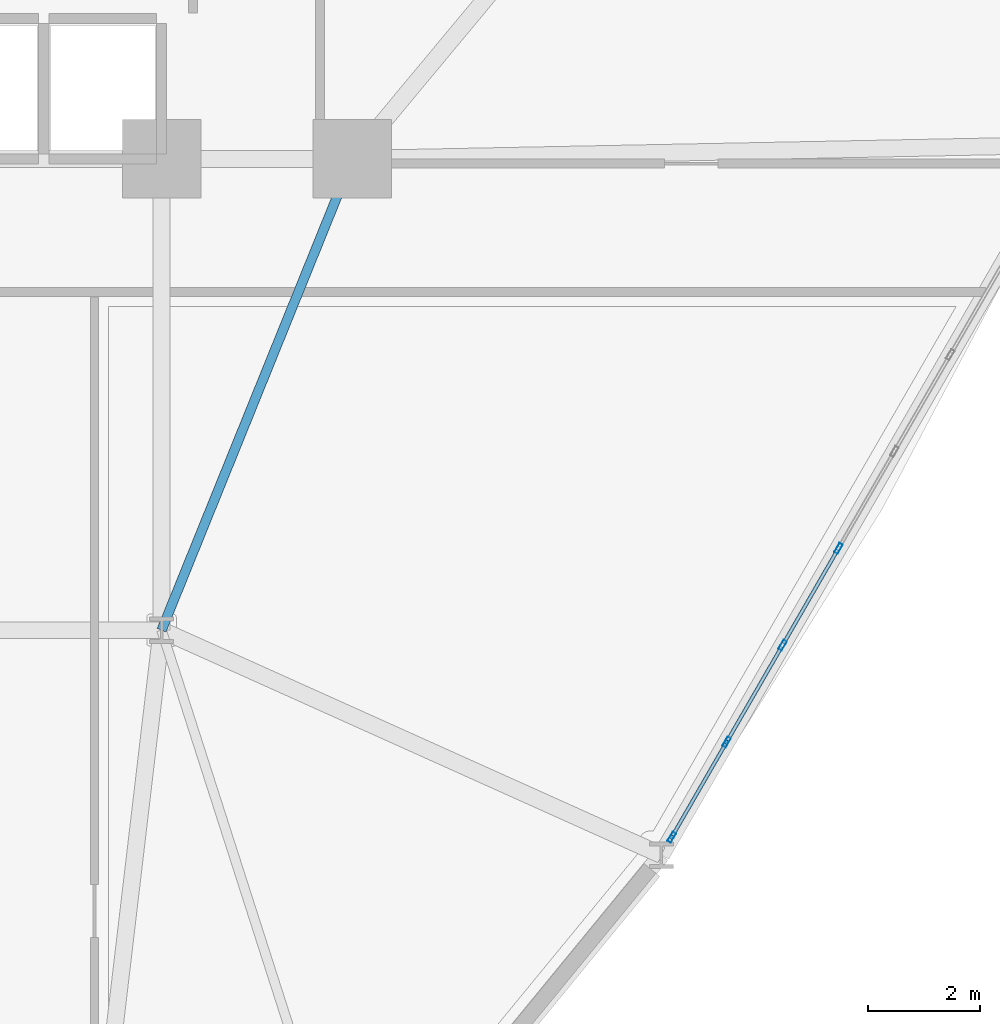
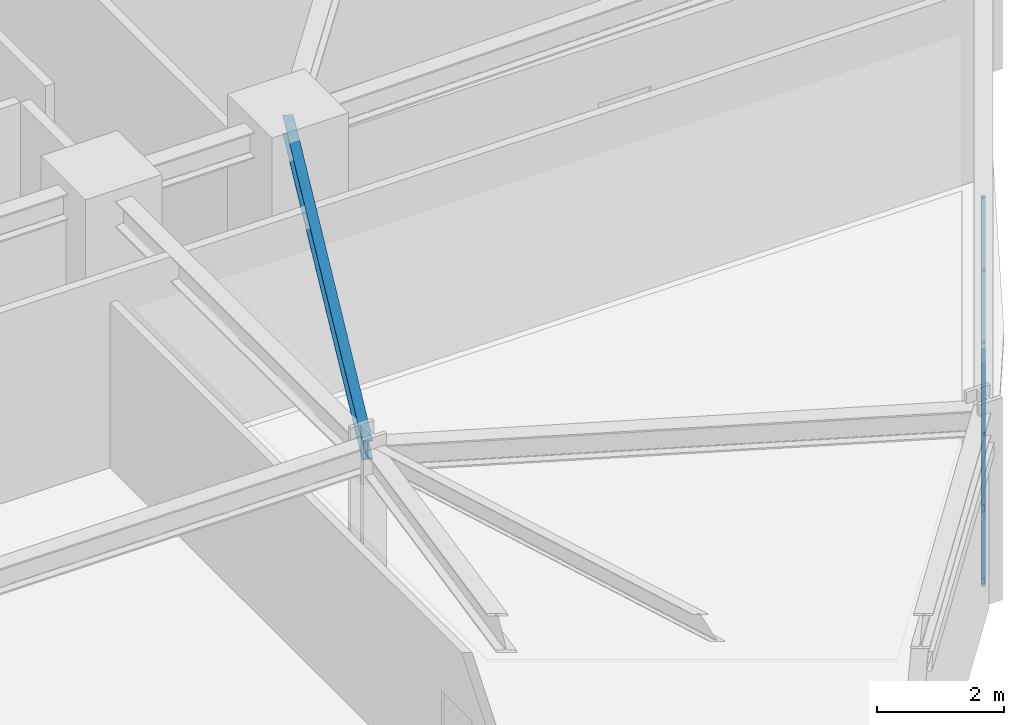
# One storey, part 6 of 20: 11 members, 1 beam, 1 element without a shape of its own.
"""IFC4 building model written with IfcOpenShell, lengths in metres."""

from ifc_helpers import new_model, si_unit, derived_unit, direction, frame, origin, origin_2d, place, context, subcontext, project, spatial, hollow_rectangle, i_section, extrude, source, transform, mapped, material, layer, layer_set, material_profile, profile_set, type_object, element, aggregate, save


model = new_model("IFC4")

# Units and contexts
model_context = context("Model", 3, precision=1e-05, world=origin(), true_north=direction((0.0, 1.0)))
body_context = subcontext(model_context, "Body", "Model", "MODEL_VIEW")
ifc_project = project(units=[si_unit("LENGTHUNIT", "METRE"), si_unit("AREAUNIT", "SQUARE_METRE"), si_unit("VOLUMEUNIT", "CUBIC_METRE"), si_unit("PLANEANGLEUNIT", "RADIAN"), si_unit("MASSUNIT", "GRAM", prefix="KILO"), derived_unit("THERMALTRANSMITTANCEUNIT", [(si_unit("POWERUNIT", "WATT"), 1), (si_unit("LENGTHUNIT", "METRE"), -2), (si_unit("THERMODYNAMICTEMPERATUREUNIT", "KELVIN"), -1)])], contexts=[model_context])

# Site, building, storey
site_placement = place(None, origin())
site = spatial("IfcSite", under=ifc_project, at=site_placement, CompositionType="ELEMENT")
building_placement = place(site_placement, origin())
building = spatial("IfcBuilding", under=site, at=building_placement, Name="Korsvarv Bourse and Concert Hall", CompositionType="ELEMENT")
storey_placement = place(building_placement, frame((0.0, 0.0, 91.199951171875)))
storey = spatial("IfcBuildingStorey", under=building, at=storey_placement, Name="L22", CompositionType="ELEMENT", Elevation=91.199951171875)

# Beam
ifc_material_1 = material(Name="Steel S355", Category="steel")
ifc_material_profile_1 = material_profile(ifc_material_1, i_section(OverallWidth=0.169921875, OverallDepth=0.360107421875, WebThickness=0.008056640625, FlangeThickness=0.0126953125, FilletRadius=0.01806640625, at=origin_2d()), Name="IPE 360")
ifc_profile_set_1 = profile_set([ifc_material_profile_1], Name="Steel S355")
beam_type = type_object("IfcBeamType", Name="BM-IPE360", PredefinedType="JOIST", material=ifc_profile_set_1)
shared_shape_1 = source(origin(), body_context, "Body", "SweptSolid", [
    extrude(i_section(OverallWidth=0.169921875, OverallDepth=0.360107421875, WebThickness=0.008056640625, FlangeThickness=0.0126953125, FilletRadius=0.01806640625, at=origin_2d()), origin(), (0.0, 0.0, 1.0), 9.06201171875),
])
beam_placement = place(storey_placement, frame((47.800048828125, 32.39990234375, 3.5), z_axis=(-0.375210394783, -0.926939674222, 0.0), x_axis=(0.926939674222, -0.375210394783, 0.0)))
element("IfcBeam", 1, at=beam_placement, inside=storey, type_object=beam_type, Name="L22 beam J-06", PredefinedType="JOIST", context=body_context, shape_type="MappedRepresentation", body=[
    mapped(shared_shape_1, transform((0.0, 0.0, 0.0), scale=1.0)),
])

# Curtain wall, members
ifc_material_2 = material(Name="Anodised aluminium and triple low-E glazing", Category="glass")
ifc_layer = layer(ifc_material_2, 0.219970703125)
ifc_layer_set = layer_set([ifc_layer], Name="Anodised aluminium and triple low-E glazing")
curtain_wall_type = type_object("IfcCurtainWallType", Name="CW-SYS-1", PredefinedType="NOTDEFINED", material=ifc_layer_set)
curtain_wall_placement = place(storey_placement, origin())
curtain_wall = element("IfcCurtainWall", 2, at=curtain_wall_placement, inside=storey, type_object=curtain_wall_type, Name="L22 CW1 curtain wall CW-L22-F11", PredefinedType="NOTDEFINED")
ifc_material_3 = material(Name="Extruded aluminium EN AW-6063 T66", Category="aluminium")
ifc_material_profile_2 = material_profile(ifc_material_3, hollow_rectangle(XDim=0.070068359375, YDim=0.18994140625, WallThickness=0.0048828125, at=origin_2d()), Name="ALU-M 70x190")
ifc_profile_set_2 = profile_set([ifc_material_profile_2], Name="Extruded aluminium EN AW-6063 T66")
member_type_1 = type_object("IfcMemberType", Name="CWM-190", PredefinedType="MULLION", material=ifc_profile_set_2)
shared_shape_2 = source(origin(), body_context, "Body", "SweptSolid", [
    extrude(hollow_rectangle(XDim=0.070068359375, YDim=0.18994140625, WallThickness=0.0048828125, at=origin_2d()), origin(), (0.0, 0.0, 1.0), 3.22998046875),
])
member_1_placement = place(storey_placement, frame((53.4931640625, 20.30859375, 0.0), z_axis=(0.0, 0.0, 1.0), x_axis=(-0.8660261613, 0.499998687942, 0.0)))
member_1 = element("IfcMember", 3, at=member_1_placement, type_object=member_type_1, Name="CW1 mullion 1", PredefinedType="MULLION", context=body_context, shape_type="MappedRepresentation", body=[
    mapped(shared_shape_2, transform((0.0, 0.0, 0.0), scale=1.0)),
])
member_2_placement = place(storey_placement, frame((54.472412109375, 22.0048828125, 0.0), z_axis=(0.0, 0.0, 1.0), x_axis=(-0.8660261613, 0.499998687942, 0.0)))
member_2 = element("IfcMember", 4, at=member_2_placement, type_object=member_type_1, Name="CW1 mullion 2", PredefinedType="MULLION", context=body_context, shape_type="MappedRepresentation", body=[
    mapped(shared_shape_2, transform((0.0, 0.0, 0.0), scale=1.0)),
])
member_3_placement = place(storey_placement, frame((55.46923828125, 23.7314453125, 0.0), z_axis=(0.0, 0.0, 1.0), x_axis=(-0.8660261613, 0.499998687942, 0.0)))
member_3 = element("IfcMember", 5, at=member_3_placement, type_object=member_type_1, Name="CW1 mullion 3", PredefinedType="MULLION", context=body_context, shape_type="MappedRepresentation", body=[
    mapped(shared_shape_2, transform((0.0, 0.0, 0.0), scale=1.0)),
])
member_4_placement = place(storey_placement, frame((56.466064453125, 25.457763671875, 0.0), z_axis=(0.0, 0.0, 1.0), x_axis=(-0.8660261613, 0.499998687942, 0.0)))
member_4 = element("IfcMember", 6, at=member_4_placement, type_object=member_type_1, Name="CW1 mullion 4", PredefinedType="MULLION", context=body_context, shape_type="MappedRepresentation", body=[
    mapped(shared_shape_2, transform((0.0, 0.0, 0.0), scale=1.0)),
])
ifc_material_profile_3 = material_profile(ifc_material_3, hollow_rectangle(XDim=0.06494140625, YDim=0.139892578125, WallThickness=0.00390625, at=origin_2d()), Name="ALU-T 65x140")
ifc_profile_set_3 = profile_set([ifc_material_profile_3], Name="Extruded aluminium EN AW-6063 T66")
member_type_2 = type_object("IfcMemberType", Name="CWT-140", PredefinedType="USERDEFINED", material=ifc_profile_set_3)
shared_shape_3 = source(origin(), body_context, "Body", "SweptSolid", [
    extrude(hollow_rectangle(XDim=0.06494140625, YDim=0.139892578125, WallThickness=0.00390625, at=origin_2d()), origin(), (0.0, 0.0, 1.0), 1.888671875),
])
member_5_placement = place(storey_placement, frame((53.510498046875, 20.3388671875, 0.032470703125), z_axis=(0.499976073514, 0.866039217307, 0.0), x_axis=(-0.866039217307, 0.499976073514, 0.0)))
member_5 = element("IfcMember", 7, at=member_5_placement, type_object=member_type_2, Name="CW1 transom 1.1", ObjectType="TRANSOM", PredefinedType="USERDEFINED", context=body_context, shape_type="MappedRepresentation", body=[
    mapped(shared_shape_3, transform((0.0, 0.0, 0.0), scale=1.0)),
])
member_6_placement = place(storey_placement, frame((53.510498046875, 20.3388671875, 3.197509765625), z_axis=(0.499976073514, 0.866039217307, 0.0), x_axis=(-0.866039217307, 0.499976073514, 0.0)))
member_6 = element("IfcMember", 8, at=member_6_placement, type_object=member_type_2, Name="CW1 transom 1.2", ObjectType="TRANSOM", PredefinedType="USERDEFINED", context=body_context, shape_type="MappedRepresentation", body=[
    mapped(shared_shape_3, transform((0.0, 0.0, 0.0), scale=1.0)),
])
ifc_material_profile_4 = material_profile(ifc_material_3, hollow_rectangle(XDim=0.06494140625, YDim=0.1650390625, WallThickness=0.0048828125, at=origin_2d()), Name="ALU-M 65x165")
ifc_profile_set_4 = profile_set([ifc_material_profile_4], Name="Extruded aluminium EN AW-6063 T66")
member_type_3 = type_object("IfcMemberType", Name="CWM-165", PredefinedType="MULLION", material=ifc_profile_set_4)
shared_shape_4 = source(origin(), body_context, "Body", "SweptSolid", [
    extrude(hollow_rectangle(XDim=0.06494140625, YDim=0.1650390625, WallThickness=0.0048828125, at=origin_2d()), origin(), (0.0, 0.0, 1.0), 3.630126953125),
])
member_7_placement = place(storey_placement, frame((53.510498046875, 20.3388671875, 0.06494140625), z_axis=(0.260136503608, 0.450598390427, 0.853984830096), x_axis=(-0.866039217307, 0.499976073514, 0.0)))
member_7 = element("IfcMember", 9, at=member_7_placement, type_object=member_type_3, Name="CW1 diagonal mullion 1", PredefinedType="MULLION", context=body_context, shape_type="MappedRepresentation", body=[
    mapped(shared_shape_4, transform((0.0, 0.0, 0.0), scale=1.0)),
])
shared_shape_5 = source(origin(), body_context, "Body", "SweptSolid", [
    extrude(hollow_rectangle(XDim=0.06494140625, YDim=0.139892578125, WallThickness=0.00390625, at=origin_2d()), origin(), (0.0, 0.0, 1.0), 1.92333984375),
])
member_8_placement = place(storey_placement, frame((54.489990234375, 22.03515625, 0.032470703125), z_axis=(0.499975164139, 0.866039742301, 0.0), x_axis=(-0.866039742301, 0.499975164139, 0.0)))
member_8 = element("IfcMember", 10, at=member_8_placement, type_object=member_type_2, Name="CW1 transom 2.1", ObjectType="TRANSOM", PredefinedType="USERDEFINED", context=body_context, shape_type="MappedRepresentation", body=[
    mapped(shared_shape_5, transform((0.0, 0.0, 0.0), scale=1.0)),
])
member_9_placement = place(storey_placement, frame((54.489990234375, 22.03515625, 3.197509765625), z_axis=(0.499975164139, 0.866039742301, 0.0), x_axis=(-0.866039742301, 0.499975164139, 0.0)))
member_9 = element("IfcMember", 11, at=member_9_placement, type_object=member_type_2, Name="CW1 transom 2.2", ObjectType="TRANSOM", PredefinedType="USERDEFINED", context=body_context, shape_type="MappedRepresentation", body=[
    mapped(shared_shape_5, transform((0.0, 0.0, 0.0), scale=1.0)),
])
member_10_placement = place(storey_placement, frame((55.48681640625, 23.76171875, 0.032470703125), z_axis=(0.499975164139, 0.866039742301, 0.0), x_axis=(-0.866039742301, 0.499975164139, 0.0)))
member_10 = element("IfcMember", 12, at=member_10_placement, type_object=member_type_2, Name="CW1 transom 3.1", ObjectType="TRANSOM", PredefinedType="USERDEFINED", context=body_context, shape_type="MappedRepresentation", body=[
    mapped(shared_shape_5, transform((0.0, 0.0, 0.0), scale=1.0)),
])
member_11_placement = place(storey_placement, frame((55.48681640625, 23.76171875, 3.197509765625), z_axis=(0.499975164139, 0.866039742301, 0.0), x_axis=(-0.866039742301, 0.499975164139, 0.0)))
member_11 = element("IfcMember", 13, at=member_11_placement, type_object=member_type_2, Name="CW1 transom 3.2", ObjectType="TRANSOM", PredefinedType="USERDEFINED", context=body_context, shape_type="MappedRepresentation", body=[
    mapped(shared_shape_5, transform((0.0, 0.0, 0.0), scale=1.0)),
])
aggregate(curtain_wall, [member_1, member_2, member_3, member_4, member_5, member_6, member_7, member_8, member_9, member_10, member_11])

save(model, "model.ifc")
